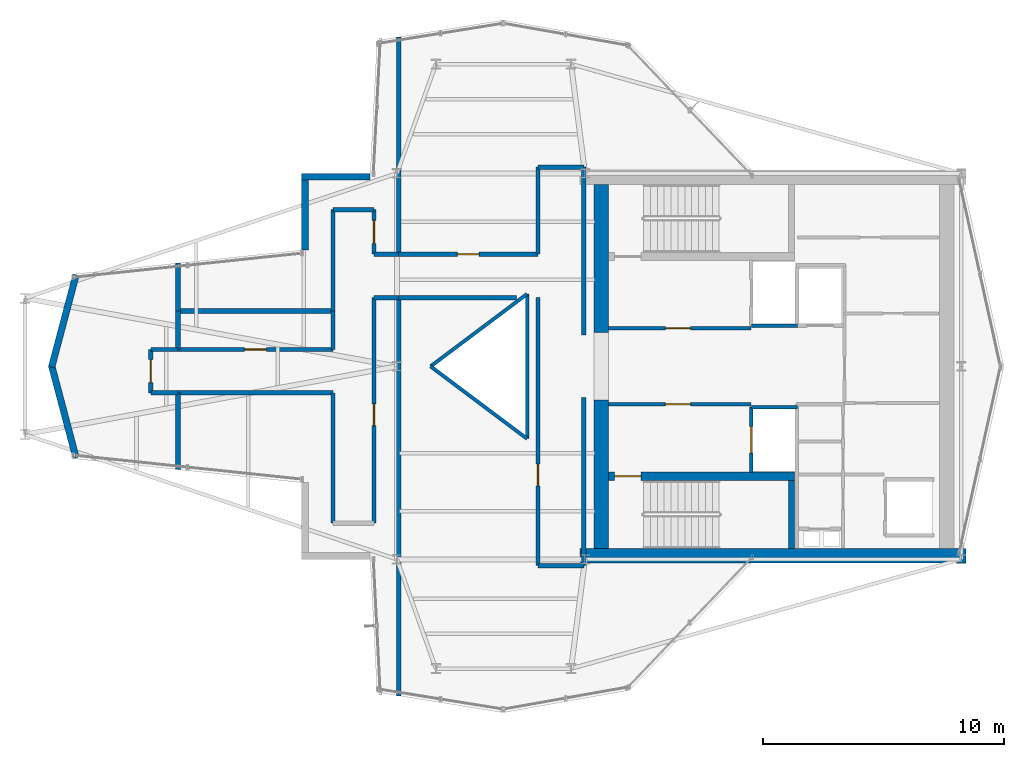
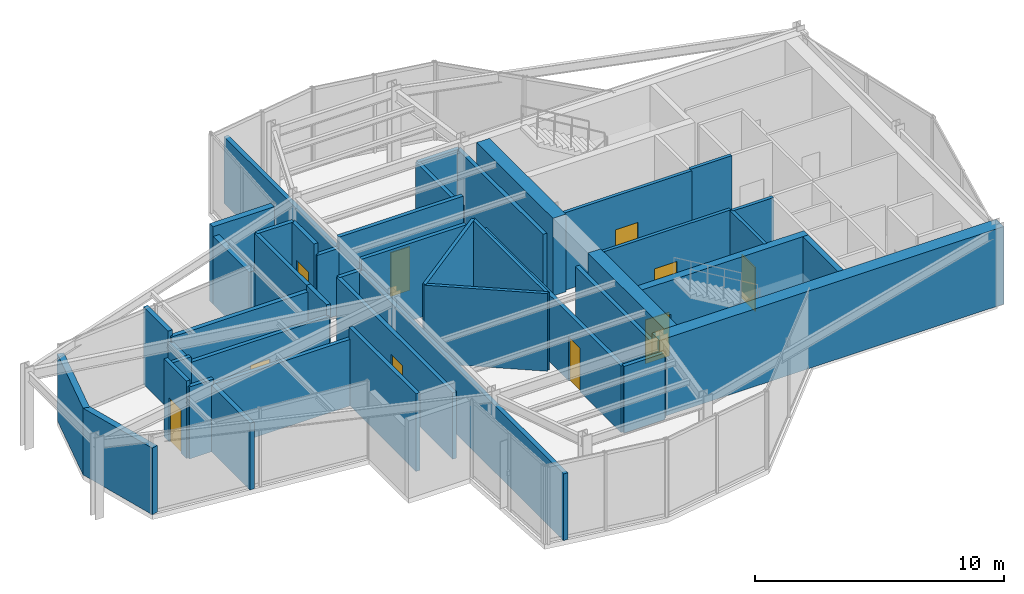
# One storey, part 11 of 13: 44 walls, 10 doors, 10 openings.
"""IFC4 building model written with IfcOpenShell, lengths in metres."""

from ifc_helpers import new_model, si_unit, direction, frame, frame_2d, origin, place, context, subcontext, project, spatial, rectangle, extrude, material, layer, layer_set, type_object, element, fill, save


model = new_model("IFC4")

# Units and contexts
model_context = context("Model", 3, precision=1e-05, world=origin(), true_north=direction((0.0, 1.0)))
body_context = subcontext(model_context, "Body", "Model", "MODEL_VIEW")
ifc_project = project(units=[si_unit("LENGTHUNIT", "METRE"), si_unit("AREAUNIT", "SQUARE_METRE"), si_unit("VOLUMEUNIT", "CUBIC_METRE"), si_unit("PLANEANGLEUNIT", "RADIAN"), si_unit("MASSUNIT", "GRAM", prefix="KILO")], contexts=[model_context])

# Site, building, storey
site_placement = place(None, origin())
site = spatial("IfcSite", under=ifc_project, at=site_placement, CompositionType="ELEMENT")
building_placement = place(site_placement, origin())
building = spatial("IfcBuilding", under=site, at=building_placement, Name="Veymaron Broadcast Tower", CompositionType="ELEMENT")
storey_placement = place(building_placement, frame((0.0, 0.0, 291.14990234375)))
storey = spatial("IfcBuildingStorey", under=building, at=storey_placement, Name="L68", CompositionType="ELEMENT", Elevation=291.14990234375)

# Walls
ifc_material_1 = material(Name="Concrete C40/50", Category="concrete")
ifc_layer_1 = layer(ifc_material_1, 0.199951171875)
ifc_layer_set_1 = layer_set([ifc_layer_1], Name="Concrete C40/50")
wall_type_1 = type_object("IfcWallType", Name="WALL-BLK-200", PredefinedType="SOLIDWALL", material=ifc_layer_set_1)
wall_1_placement = place(storey_placement, frame((31.27587890625, 10.33740234375, 0.0), z_axis=(0.0, 0.0, 1.0), x_axis=(0.0, 1.0, 0.0)))
element("IfcWall", 1, at=wall_1_placement, inside=storey, type_object=wall_type_1, Name="L68 partition IW-L68-P23", PredefinedType="SOLIDWALL", context=body_context, shape_type="SweptSolid", body=[
    extrude(rectangle(XDim=16.5126953125, YDim=0.199951171875, at=frame_2d((8.25634765625, 0.0))), origin(), (0.0, 0.0, 1.0), 3.27001953125),
])
wall_2_placement = place(storey_placement, frame((22.1279296875, 19.71533203125, 0.0), z_axis=(0.0, 0.0, 1.0), x_axis=(0.0, 1.0, 0.0)))
element("IfcWall", 2, at=wall_2_placement, inside=storey, type_object=wall_type_1, Name="L68 partition IW-L68-P24", PredefinedType="SOLIDWALL", context=body_context, shape_type="SweptSolid", body=[
    extrude(rectangle(XDim=3.1845703125, YDim=0.199951171875, at=frame_2d((1.59228515625, 0.0))), origin(), (0.0, 0.0, 1.0), 3.27001953125),
])
wall_3_placement = place(storey_placement, frame((22.1279296875, 24.699951171875, 0.0), z_axis=(0.0, 0.0, 1.0), x_axis=(0.0, 1.0, 0.0)))
element("IfcWall", 3, at=wall_3_placement, inside=storey, type_object=wall_type_1, Name="L68 partition IW-L68-P25", PredefinedType="SOLIDWALL", context=body_context, shape_type="SweptSolid", body=[
    extrude(rectangle(XDim=1.59814453125, YDim=0.199951171875, at=frame_2d((0.799072265625, 0.0))), origin(), (0.0, 0.0, 1.0), 3.27001953125),
])
wall_4_placement = place(storey_placement, frame((22.1279296875, 26.298095703125, 0.0), z_axis=(0.0, 0.0, 1.0), x_axis=(0.0, 1.0, 0.0)))
element("IfcWall", 4, at=wall_4_placement, inside=storey, type_object=wall_type_1, Name="L68 partition IW-L68-P26", PredefinedType="SOLIDWALL", context=body_context, shape_type="SweptSolid", body=[
    extrude(rectangle(XDim=1.986572265625, YDim=0.199951171875, at=frame_2d((0.9931640625, 0.0))), origin(), (0.0, 0.0, 1.0), 3.81005859375),
])
wall_5_placement = place(storey_placement, frame((22.1279296875, 26.298095703125, 0.0), z_axis=(0.0, 0.0, 1.0), x_axis=(1.0, 0.0, 0.0)))
element("IfcWall", 5, at=wall_5_placement, inside=storey, type_object=wall_type_1, Name="L68 partition IW-L68-P27", PredefinedType="SOLIDWALL", context=body_context, shape_type="SweptSolid", body=[
    extrude(rectangle(XDim=6.422119140625, YDim=0.199951171875, at=frame_2d((3.2109375, 0.0))), origin(), (0.0, 0.0, 1.0), 3.5400390625),
])
wall_6_placement = place(storey_placement, frame((31.27587890625, 28.64990234375, 0.0), z_axis=(0.0, 0.0, 1.0), x_axis=(0.0, 1.0, 0.0)))
element("IfcWall", 6, at=wall_6_placement, inside=storey, type_object=wall_type_1, Name="L68 partition IW-L68-P28", PredefinedType="SOLIDWALL", context=body_context, shape_type="SweptSolid", body=[
    extrude(rectangle(XDim=9.0126953125, YDim=0.199951171875, at=frame_2d((4.50634765625, 0.0))), origin(), (0.0, 0.0, 1.0), 3.27001953125),
])
ifc_material_2 = material(Name="Precast concrete C40/50", Category="concrete")
ifc_layer_2 = layer(ifc_material_2, 0.280029296875)
ifc_layer_set_2 = layer_set([ifc_layer_2], Name="Precast concrete C40/50")
wall_type_2 = type_object("IfcWallType", Name="WALL-EXT-280", PredefinedType="STANDARD", material=ifc_layer_set_2)
wall_7_placement = place(storey_placement, frame((30.0908203125, 31.860107421875, 0.0), z_axis=(0.0, 0.0, 1.0), x_axis=(-1.0, 0.0, 0.0)))
element("IfcWall", 7, at=wall_7_placement, inside=storey, type_object=wall_type_2, Name="L68 notched corner facade pier 9-1", PredefinedType="STANDARD", context=body_context, shape_type="SweptSolid", body=[
    extrude(rectangle(XDim=2.84130859375, YDim=0.280029296875, at=frame_2d((1.420654296875, 0.0))), origin(), (0.0, 0.0, 1.0), 3.81005859375),
])
wall_8_placement = place(storey_placement, frame((27.3896484375, 32.0, 0.0), z_axis=(0.0, 0.0, 1.0), x_axis=(0.0, -1.0, 0.0)))
element("IfcWall", 8, at=wall_8_placement, inside=storey, type_object=wall_type_2, Name="L68 notched corner facade pier 10-1", PredefinedType="STANDARD", context=body_context, shape_type="SweptSolid", body=[
    extrude(rectangle(XDim=3.177001953125, YDim=0.280029296875, at=frame_2d((1.58837890625, 0.0))), origin(), (0.0, 0.0, 1.0), 3.339111328125),
])
for number, where, z_axis, x_axis, name in (
    (9, (17.895263671875, 27.78955078125, 0.0), (0.0, 0.0, 1.0), (-0.255911213431, -0.96670029008, 0.0), "L68 notched corner facade pier 12-1"),
    (10, (16.882568359375, 24.035888671875, 0.0), (0.0, 0.0, 1.0), (0.255911213431, -0.96670029008, 0.0), "L68 notched corner facade pier 13-1"),
):
    element("IfcWall", number, at=place(storey_placement, frame(where, z_axis=z_axis, x_axis=x_axis)), inside=storey, type_object=wall_type_2, Name=name, PredefinedType="STANDARD", context=body_context, shape_type="SweptSolid", body=[
        extrude(rectangle(XDim=3.957275390625, YDim=0.280029296875, at=frame_2d((1.978515625, 0.0))), origin(), (0.0, 0.0, 1.0), 3.27001953125),
    ])

# Wall, opening, door
ifc_material_3 = material(Name="Gypsum fireboard and steel stud framing", Category="steel")
ifc_layer_3 = layer(ifc_material_3, 0.14990234375)
ifc_layer_set_3 = layer_set([ifc_layer_3], Name="Gypsum fireboard and steel stud framing")
wall_type_3 = type_object("IfcWallType", Name="WALL-FIRE-150", PredefinedType="PARTITIONING", material=ifc_layer_set_3)
wall_9_placement = place(storey_placement, frame((39.97998046875, 25.574951171875, 0.0), z_axis=(0.0, 0.0, 1.0), x_axis=(1.0, 0.0, 0.0)))
wall_9 = element("IfcWall", 11, at=wall_9_placement, inside=storey, type_object=wall_type_3, Name="L68 partition IW-L68-FFLN-S", PredefinedType="PARTITIONING", context=body_context, shape_type="SweptSolid", body=[
    extrude(rectangle(XDim=5.89990234375, YDim=0.14990234375, at=frame_2d((2.949951171875, 0.0))), origin(), (0.0, 0.0, 1.0), 3.81005859375),
])
opening_1_placement = place(wall_9_placement, frame((2.35009765625, 0.0, 0.0)))
opening_1 = element("IfcOpeningElement", 12, at=opening_1_placement, cuts=wall_9, Name="Opening ID-FL1", PredefinedType="OPENING", context=body_context, shape_type="SweptSolid", body=[
    extrude(rectangle(XDim=1.050048828125, YDim=2.14990234375, at=frame_2d((0.52490234375, 1.074951171875))), frame((0.0, 0.0849609375, 0.0), z_axis=(0.0, -1.0, 0.0), x_axis=(1.0, 0.0, 0.0)), (0.0, 0.0, 1.0), 0.169921875),
])
ifc_material_4 = material(Name="Fire-rated painted hollow steel ASTM A653", Category="steel")
door_type_1 = type_object("IfcDoorType", Name="DOOR-FIRE-1050", OperationType="NOTDEFINED", PredefinedType="DOOR", material=ifc_material_4)
door_1_placement = place(opening_1_placement, origin())
door_1 = element("IfcDoor", 13, at=door_1_placement, inside=storey, type_object=door_type_1, Name="L68 door DR-L68-FFLN", OperationType="SINGLE_SWING_LEFT", OverallHeight=2.14990234375, OverallWidth=1.050048828125, PredefinedType="DOOR", context=body_context, shape_type="SweptSolid", body=[
    extrude(rectangle(XDim=1.050048828125, YDim=2.14990234375, at=frame_2d((0.52490234375, 1.074951171875))), frame((0.0, 0.02490234375, 0.0), z_axis=(0.0, -1.0, 0.0), x_axis=(1.0, 0.0, 0.0)), (0.0, 0.0, 1.0), 0.050048828125),
])
fill(opening_1, door_1)

wall_10_placement = place(storey_placement, frame((39.97998046875, 22.425048828125, 0.0), z_axis=(0.0, 0.0, 1.0), x_axis=(1.0, 0.0, 0.0)))
wall_10 = element("IfcWall", 14, at=wall_10_placement, inside=storey, type_object=wall_type_3, Name="L68 partition IW-L68-FFLS-N", PredefinedType="PARTITIONING", context=body_context, shape_type="SweptSolid", body=[
    extrude(rectangle(XDim=5.89990234375, YDim=0.14990234375, at=frame_2d((2.949951171875, 0.0))), origin(), (0.0, 0.0, 1.0), 3.81005859375),
])
opening_2_placement = place(wall_10_placement, frame((2.35009765625, 0.0, 0.0)))
opening_2 = element("IfcOpeningElement", 15, at=opening_2_placement, cuts=wall_10, Name="Opening ID-FL1", PredefinedType="OPENING", context=body_context, shape_type="SweptSolid", body=[
    extrude(rectangle(XDim=1.050048828125, YDim=2.14990234375, at=frame_2d((0.52490234375, 1.074951171875))), frame((0.0, 0.0849609375, 0.0), z_axis=(0.0, -1.0, 0.0), x_axis=(1.0, 0.0, 0.0)), (0.0, 0.0, 1.0), 0.169921875),
])
door_2_placement = place(opening_2_placement, frame((1.050048828125, 0.0, 0.0), z_axis=(0.0, 0.0, 1.0), x_axis=(-1.0, 0.0, 0.0)))
door_2 = element("IfcDoor", 16, at=door_2_placement, inside=storey, type_object=door_type_1, Name="L68 door DR-L68-FFLS", OperationType="SINGLE_SWING_RIGHT", OverallHeight=2.14990234375, OverallWidth=1.050048828125, PredefinedType="DOOR", context=body_context, shape_type="SweptSolid", body=[
    extrude(rectangle(XDim=1.050048828125, YDim=2.14990234375, at=frame_2d((0.52490234375, 1.074951171875))), frame((0.0, 0.02490234375, 0.0), z_axis=(0.0, -1.0, 0.0), x_axis=(1.0, 0.0, 0.0)), (0.0, 0.0, 1.0), 0.050048828125),
])
fill(opening_2, door_2)

# Wall
wall_11_placement = place(storey_placement, frame((45.89501953125, 25.68994140625, 0.0), z_axis=(0.0, 0.0, 1.0), x_axis=(1.0, 0.0, 0.0)))
element("IfcWall", 17, at=wall_11_placement, inside=storey, type_object=wall_type_3, Name="L68 partition IW-L68-SHS-FFL-1", PredefinedType="PARTITIONING", context=body_context, shape_type="SweptSolid", body=[
    extrude(rectangle(XDim=1.9150390625, YDim=0.14990234375, at=frame_2d((0.95751953125, 0.0))), origin(), (0.0, 0.0, 1.0), 3.81005859375),
])

# Wall, opening, door
wall_12_placement = place(storey_placement, frame((45.89501953125, 19.590087890625, 0.0), z_axis=(0.0, 0.0, 1.0), x_axis=(0.0, 1.0, 0.0)))
wall_12 = element("IfcWall", 18, at=wall_12_placement, inside=storey, type_object=wall_type_3, Name="L68 partition IW-L68-SHW-FFL-2", PredefinedType="PARTITIONING", context=body_context, shape_type="SweptSolid", body=[
    extrude(rectangle(XDim=2.719970703125, YDim=0.14990234375, at=frame_2d((1.35986328125, 0.0))), origin(), (0.0, 0.0, 1.0), 3.81005859375),
])
opening_3_placement = place(wall_12_placement, frame((0.81005859375, 0.0, 0.0)))
opening_3 = element("IfcOpeningElement", 19, at=opening_3_placement, cuts=wall_12, Name="Opening LD", PredefinedType="OPENING", context=body_context, shape_type="SweptSolid", body=[
    extrude(rectangle(XDim=1.10009765625, YDim=2.14990234375, at=frame_2d((0.550048828125, 1.074951171875))), frame((0.0, 0.0849609375, 0.0), z_axis=(0.0, -1.0, 0.0), x_axis=(1.0, 0.0, 0.0)), (0.0, 0.0, 1.0), 0.169921875),
])
ifc_material_5 = material(Name="Brushed stainless steel AISI 304", Category="steel")
door_type_2 = type_object("IfcDoorType", Name="DOOR-LIFT-1100", OperationType="DOUBLE_DOOR_SLIDING", PredefinedType="DOOR", material=ifc_material_5)
door_3_placement = place(opening_3_placement, frame((1.10009765625, 0.0, 0.0), z_axis=(0.0, 0.0, 1.0), x_axis=(-1.0, 0.0, 0.0)))
door_3 = element("IfcDoor", 20, at=door_3_placement, inside=storey, type_object=door_type_2, Name="L68 door LD-L68-FFL-2", OperationType="DOUBLE_DOOR_SLIDING", OverallHeight=2.14990234375, OverallWidth=1.10009765625, PredefinedType="DOOR", context=body_context, shape_type="SweptSolid", body=[
    extrude(rectangle(XDim=1.10009765625, YDim=2.14990234375, at=frame_2d((0.550048828125, 1.074951171875))), frame((0.0, 0.02490234375, 0.0), z_axis=(0.0, -1.0, 0.0), x_axis=(1.0, 0.0, 0.0)), (0.0, 0.0, 1.0), 0.050048828125),
])
fill(opening_3, door_3)

# Wall
wall_13_placement = place(storey_placement, frame((45.89501953125, 22.31005859375, 0.0), z_axis=(0.0, 0.0, 1.0), x_axis=(1.0, 0.0, 0.0)))
element("IfcWall", 21, at=wall_13_placement, inside=storey, type_object=wall_type_3, Name="L68 partition IW-L68-SHN-FFL-2", PredefinedType="PARTITIONING", context=body_context, shape_type="SweptSolid", body=[
    extrude(rectangle(XDim=1.9150390625, YDim=0.14990234375, at=frame_2d((0.95751953125, 0.0))), origin(), (0.0, 0.0, 1.0), 3.81005859375),
])

# Wall, opening, door
ifc_layer_4 = layer(ifc_material_1, 0.179931640625)
ifc_layer_set_4 = layer_set([ifc_layer_4], Name="Concrete C40/50")
wall_type_4 = type_object("IfcWallType", Name="WALL-FIRE-180", PredefinedType="SOLIDWALL", material=ifc_layer_set_4)
wall_14_placement = place(storey_placement, frame((37.050048828125, 15.73876953125, 0.0), z_axis=(0.0, 0.0, 1.0), x_axis=(0.0, 1.0, 0.0)))
wall_14 = element("IfcWall", 22, at=wall_14_placement, inside=storey, type_object=wall_type_4, Name="L68 partition IW-L68-P01", PredefinedType="SOLIDWALL", context=body_context, shape_type="SweptSolid", body=[
    extrude(rectangle(XDim=11.111328125, YDim=0.179931640625, at=frame_2d((5.5556640625, 0.0))), origin(), (0.0, 0.0, 1.0), 3.27001953125),
])
opening_4_placement = place(wall_14_placement, frame((3.3056640625, 0.0, 0.0)))
opening_4 = element("IfcOpeningElement", 23, at=opening_4_placement, cuts=wall_14, Name="Opening ID-RM2", PredefinedType="OPENING", context=body_context, shape_type="SweptSolid", body=[
    extrude(rectangle(XDim=0.89990234375, YDim=2.14990234375, at=frame_2d((0.449951171875, 1.074951171875))), frame((0.0, 0.10009765625, 0.0), z_axis=(0.0, -1.0, 0.0), x_axis=(1.0, 0.0, 0.0)), (0.0, 0.0, 1.0), 0.199951171875),
])
ifc_material_6 = material(Name="Acoustic solid-core European oak veneer timber", Category="wood")
door_type_3 = type_object("IfcDoorType", Name="DOOR-INT-900", OperationType="NOTDEFINED", PredefinedType="DOOR", material=ifc_material_6)
door_4_placement = place(opening_4_placement, frame((0.89990234375, 0.0, 0.0), z_axis=(0.0, 0.0, 1.0), x_axis=(-1.0, 0.0, 0.0)))
door_4 = element("IfcDoor", 24, at=door_4_placement, inside=storey, type_object=door_type_3, Name="L68 door DR-L68-P01", OperationType="SINGLE_SWING_RIGHT", OverallHeight=2.14990234375, OverallWidth=0.89990234375, PredefinedType="DOOR", context=body_context, shape_type="SweptSolid", body=[
    extrude(rectangle(XDim=0.89990234375, YDim=2.14990234375, at=frame_2d((0.449951171875, 1.074951171875))), frame((0.0, 0.02490234375, 0.0), z_axis=(0.0, -1.0, 0.0), x_axis=(1.0, 0.0, 0.0)), (0.0, 0.0, 1.0), 0.050048828125),
])
fill(opening_4, door_4)

wall_15_placement = place(storey_placement, frame((30.25, 17.5, 0.0), z_axis=(0.0, 0.0, 1.0), x_axis=(0.0, 1.0, 0.0)))
wall_15 = element("IfcWall", 25, at=wall_15_placement, inside=storey, type_object=wall_type_4, Name="L68 partition IW-L68-P05", PredefinedType="SOLIDWALL", context=body_context, shape_type="SweptSolid", body=[
    extrude(rectangle(XDim=9.35009765625, YDim=0.179931640625, at=frame_2d((4.675048828125, 0.0))), origin(), (0.0, 0.0, 1.0), 3.27001953125),
])
opening_5_placement = place(wall_15_placement, frame((4.044921875, 0.0, 0.0)))
opening_5 = element("IfcOpeningElement", 26, at=opening_5_placement, cuts=wall_15, Name="Opening ID-RM2", PredefinedType="OPENING", context=body_context, shape_type="SweptSolid", body=[
    extrude(rectangle(XDim=0.89990234375, YDim=2.14990234375, at=frame_2d((0.449951171875, 1.074951171875))), frame((0.0, 0.10009765625, 0.0), z_axis=(0.0, -1.0, 0.0), x_axis=(1.0, 0.0, 0.0)), (0.0, 0.0, 1.0), 0.199951171875),
])
door_5_placement = place(opening_5_placement, frame((0.89990234375, 0.0, 0.0), z_axis=(0.0, 0.0, 1.0), x_axis=(-1.0, 0.0, 0.0)))
door_5 = element("IfcDoor", 27, at=door_5_placement, inside=storey, type_object=door_type_3, Name="L68 door DR-L68-P05", OperationType="SINGLE_SWING_RIGHT", OverallHeight=2.14990234375, OverallWidth=0.89990234375, PredefinedType="DOOR", context=body_context, shape_type="SweptSolid", body=[
    extrude(rectangle(XDim=0.89990234375, YDim=2.14990234375, at=frame_2d((0.449951171875, 1.074951171875))), frame((0.0, 0.02490234375, 0.0), z_axis=(0.0, -1.0, 0.0), x_axis=(1.0, 0.0, 0.0)), (0.0, 0.0, 1.0), 0.050048828125),
])
fill(opening_5, door_5)

wall_16_placement = place(storey_placement, frame((21.0, 22.89990234375, 0.0), z_axis=(0.0, 0.0, 1.0), x_axis=(0.0, 1.0, 0.0)))
wall_16 = element("IfcWall", 28, at=wall_16_placement, inside=storey, type_object=wall_type_4, Name="L68 partition IW-L68-P10", PredefinedType="SOLIDWALL", context=body_context, shape_type="SweptSolid", body=[
    extrude(rectangle(XDim=1.800048828125, YDim=0.179931640625, at=frame_2d((0.89990234375, 0.0))), origin(), (0.0, 0.0, 1.0), 3.81005859375),
])
opening_6_placement = place(wall_16_placement, frame((0.425048828125, 0.0, 0.0)))
opening_6 = element("IfcOpeningElement", 29, at=opening_6_placement, cuts=wall_16, Name="Opening ID-RM1", PredefinedType="OPENING", context=body_context, shape_type="SweptSolid", body=[
    extrude(rectangle(XDim=0.949951171875, YDim=2.14990234375, at=frame_2d((0.47509765625, 1.074951171875))), frame((0.0, 0.10009765625, 0.0), z_axis=(0.0, -1.0, 0.0), x_axis=(1.0, 0.0, 0.0)), (0.0, 0.0, 1.0), 0.199951171875),
])
door_type_4 = type_object("IfcDoorType", Name="DOOR-INT-950", OperationType="NOTDEFINED", PredefinedType="DOOR", material=ifc_material_6)
door_6_placement = place(opening_6_placement, origin())
door_6 = element("IfcDoor", 30, at=door_6_placement, inside=storey, type_object=door_type_4, Name="L68 door DR-L68-P10", OperationType="SINGLE_SWING_LEFT", OverallHeight=2.14990234375, OverallWidth=0.949951171875, PredefinedType="DOOR", context=body_context, shape_type="SweptSolid", body=[
    extrude(rectangle(XDim=0.949951171875, YDim=2.14990234375, at=frame_2d((0.47509765625, 1.074951171875))), frame((0.0, 0.02490234375, 0.0), z_axis=(0.0, -1.0, 0.0), x_axis=(1.0, 0.0, 0.0)), (0.0, 0.0, 1.0), 0.050048828125),
])
fill(opening_6, door_6)

wall_17_placement = place(storey_placement, frame((22.1279296875, 24.699951171875, 0.0), z_axis=(0.0, 0.0, 1.0), x_axis=(1.0, 0.0, 0.0)))
wall_17 = element("IfcWall", 31, at=wall_17_placement, inside=storey, type_object=wall_type_4, Name="L68 partition IW-L68-P13", PredefinedType="SOLIDWALL", context=body_context, shape_type="SweptSolid", body=[
    extrude(rectangle(XDim=6.422119140625, YDim=0.179931640625, at=frame_2d((3.2109375, 0.0))), origin(), (0.0, 0.0, 1.0), 3.27001953125),
])
opening_7_placement = place(wall_17_placement, frame((2.760986328125, 0.0, 0.0)))
opening_7 = element("IfcOpeningElement", 32, at=opening_7_placement, cuts=wall_17, Name="Opening ID-RM2", PredefinedType="OPENING", context=body_context, shape_type="SweptSolid", body=[
    extrude(rectangle(XDim=0.89990234375, YDim=2.14990234375, at=frame_2d((0.449951171875, 1.074951171875))), frame((0.0, 0.10009765625, 0.0), z_axis=(0.0, -1.0, 0.0), x_axis=(1.0, 0.0, 0.0)), (0.0, 0.0, 1.0), 0.199951171875),
])
door_7_placement = place(opening_7_placement, origin())
door_7 = element("IfcDoor", 33, at=door_7_placement, inside=storey, type_object=door_type_3, Name="L68 door DR-L68-P13", OperationType="SINGLE_SWING_RIGHT", OverallHeight=2.14990234375, OverallWidth=0.89990234375, PredefinedType="DOOR", context=body_context, shape_type="SweptSolid", body=[
    extrude(rectangle(XDim=0.89990234375, YDim=2.14990234375, at=frame_2d((0.449951171875, 1.074951171875))), frame((0.0, 0.02490234375, 0.0), z_axis=(0.0, -1.0, 0.0), x_axis=(1.0, 0.0, 0.0)), (0.0, 0.0, 1.0), 0.050048828125),
])
fill(opening_7, door_7)

wall_18_placement = place(storey_placement, frame((30.25, 28.64990234375, 0.0), z_axis=(0.0, 0.0, 1.0), x_axis=(0.0, 1.0, 0.0)))
wall_18 = element("IfcWall", 34, at=wall_18_placement, inside=storey, type_object=wall_type_4, Name="L68 partition IW-L68-P16", PredefinedType="SOLIDWALL", context=body_context, shape_type="SweptSolid", body=[
    extrude(rectangle(XDim=1.85009765625, YDim=0.179931640625, at=frame_2d((0.925048828125, 0.0))), origin(), (0.0, 0.0, 1.0), 3.81005859375),
])
opening_8_placement = place(wall_18_placement, frame((0.449951171875, 0.0, 0.0)))
opening_8 = element("IfcOpeningElement", 35, at=opening_8_placement, cuts=wall_18, Name="Opening ID-RM1", PredefinedType="OPENING", context=body_context, shape_type="SweptSolid", body=[
    extrude(rectangle(XDim=0.949951171875, YDim=2.14990234375, at=frame_2d((0.47509765625, 1.074951171875))), frame((0.0, 0.10009765625, 0.0), z_axis=(0.0, -1.0, 0.0), x_axis=(1.0, 0.0, 0.0)), (0.0, 0.0, 1.0), 0.199951171875),
])
door_8_placement = place(opening_8_placement, frame((0.949951171875, 0.0, 0.0), z_axis=(0.0, 0.0, 1.0), x_axis=(-1.0, 0.0, 0.0)))
door_8 = element("IfcDoor", 36, at=door_8_placement, inside=storey, type_object=door_type_4, Name="L68 door DR-L68-P16", OperationType="SINGLE_SWING_LEFT", OverallHeight=2.14990234375, OverallWidth=0.949951171875, PredefinedType="DOOR", context=body_context, shape_type="SweptSolid", body=[
    extrude(rectangle(XDim=0.949951171875, YDim=2.14990234375, at=frame_2d((0.47509765625, 1.074951171875))), frame((0.0, 0.02490234375, 0.0), z_axis=(0.0, -1.0, 0.0), x_axis=(1.0, 0.0, 0.0)), (0.0, 0.0, 1.0), 0.050048828125),
])
fill(opening_8, door_8)

wall_19_placement = place(storey_placement, frame((31.27587890625, 28.64990234375, 0.0), z_axis=(0.0, 0.0, 1.0), x_axis=(1.0, 0.0, 0.0)))
wall_19 = element("IfcWall", 37, at=wall_19_placement, inside=storey, type_object=wall_type_4, Name="L68 partition IW-L68-P20", PredefinedType="SOLIDWALL", context=body_context, shape_type="SweptSolid", body=[
    extrude(rectangle(XDim=5.774169921875, YDim=0.179931640625, at=frame_2d((2.88720703125, 0.0))), origin(), (0.0, 0.0, 1.0), 3.81005859375),
])
opening_9_placement = place(wall_19_placement, frame((2.43701171875, 0.0, 0.0)))
opening_9 = element("IfcOpeningElement", 38, at=opening_9_placement, cuts=wall_19, Name="Opening ID-RM2", PredefinedType="OPENING", context=body_context, shape_type="SweptSolid", body=[
    extrude(rectangle(XDim=0.89990234375, YDim=2.14990234375, at=frame_2d((0.449951171875, 1.074951171875))), frame((0.0, 0.10009765625, 0.0), z_axis=(0.0, -1.0, 0.0), x_axis=(1.0, 0.0, 0.0)), (0.0, 0.0, 1.0), 0.199951171875),
])
door_9_placement = place(opening_9_placement, origin())
door_9 = element("IfcDoor", 39, at=door_9_placement, inside=storey, type_object=door_type_3, Name="L68 door DR-L68-P20", OperationType="SINGLE_SWING_LEFT", OverallHeight=2.14990234375, OverallWidth=0.89990234375, PredefinedType="DOOR", context=body_context, shape_type="SweptSolid", body=[
    extrude(rectangle(XDim=0.89990234375, YDim=2.14990234375, at=frame_2d((0.449951171875, 1.074951171875))), frame((0.0, 0.02490234375, 0.0), z_axis=(0.0, -1.0, 0.0), x_axis=(1.0, 0.0, 0.0)), (0.0, 0.0, 1.0), 0.050048828125),
])
fill(opening_9, door_9)

# Walls
wall_20_placement = place(storey_placement, frame((38.949951171875, 15.73876953125, 0.0), z_axis=(0.0, 0.0, 1.0), x_axis=(0.0, 1.0, 0.0)))
element("IfcWall", 40, at=wall_20_placement, inside=storey, type_object=wall_type_4, Name="L68 partition IW-L68-P02", PredefinedType="SOLIDWALL", context=body_context, shape_type="SweptSolid", body=[
    extrude(rectangle(XDim=6.961181640625, YDim=0.179931640625, at=frame_2d((3.48046875, 0.0))), origin(), (0.0, 0.0, 1.0), 3.27001953125),
])
wall_21_placement = place(storey_placement, frame((31.27587890625, 26.85009765625, 0.0), z_axis=(0.0, 0.0, 1.0), x_axis=(1.0, 0.0, 0.0)))
element("IfcWall", 41, at=wall_21_placement, inside=storey, type_object=wall_type_4, Name="L68 partition IW-L68-P03", PredefinedType="SOLIDWALL", context=body_context, shape_type="SweptSolid", body=[
    extrude(rectangle(XDim=4.8740234375, YDim=0.179931640625, at=frame_2d((2.43701171875, 0.0))), origin(), (0.0, 0.0, 1.0), 3.81005859375),
])
wall_22_placement = place(storey_placement, frame((37.050048828125, 15.73876953125, 0.0), z_axis=(0.0, 0.0, 1.0), x_axis=(1.0, 0.0, 0.0)))
element("IfcWall", 42, at=wall_22_placement, inside=storey, type_object=wall_type_4, Name="L68 partition IW-L68-P04", PredefinedType="SOLIDWALL", context=body_context, shape_type="SweptSolid", body=[
    extrude(rectangle(XDim=1.89990234375, YDim=0.179931640625, at=frame_2d((0.949951171875, 0.0))), origin(), (0.0, 0.0, 1.0), 3.27001953125),
])
wall_23_placement = place(storey_placement, frame((22.1279296875, 22.89990234375, 0.0), z_axis=(0.0, 0.0, 1.0), x_axis=(1.0, 0.0, 0.0)))
element("IfcWall", 43, at=wall_23_placement, inside=storey, type_object=wall_type_4, Name="L68 partition IW-L68-P06", PredefinedType="SOLIDWALL", context=body_context, shape_type="SweptSolid", body=[
    extrude(rectangle(XDim=6.422119140625, YDim=0.179931640625, at=frame_2d((3.2109375, 0.0))), origin(), (0.0, 0.0, 1.0), 3.27001953125),
])
wall_24_placement = place(storey_placement, frame((28.550048828125, 17.5, 0.0), z_axis=(0.0, 0.0, 1.0), x_axis=(0.0, 1.0, 0.0)))
element("IfcWall", 44, at=wall_24_placement, inside=storey, type_object=wall_type_4, Name="L68 partition IW-L68-P07", PredefinedType="SOLIDWALL", context=body_context, shape_type="SweptSolid", body=[
    extrude(rectangle(XDim=5.39990234375, YDim=0.179931640625, at=frame_2d((2.699951171875, 0.0))), origin(), (0.0, 0.0, 1.0), 3.81005859375),
])
wall_25_placement = place(storey_placement, frame((30.25, 26.85009765625, 0.0), z_axis=(0.0, 0.0, 1.0), x_axis=(1.0, 0.0, 0.0)))
element("IfcWall", 45, at=wall_25_placement, inside=storey, type_object=wall_type_4, Name="L68 partition IW-L68-P09", PredefinedType="SOLIDWALL", context=body_context, shape_type="SweptSolid", body=[
    extrude(rectangle(XDim=1.02587890625, YDim=0.179931640625, at=frame_2d((0.512939453125, 0.0))), origin(), (0.0, 0.0, 1.0), 3.27001953125),
])
for number, where, z_axis, x_axis, name in (
    (46, (21.0, 22.89990234375, 0.0), (0.0, 0.0, 1.0), (1.0, 0.0, 0.0), "L68 partition IW-L68-P11"),
    (47, (21.0, 24.699951171875, 0.0), (0.0, 0.0, 1.0), (1.0, 0.0, 0.0), "L68 partition IW-L68-P12"),
):
    element("IfcWall", number, at=place(storey_placement, frame(where, z_axis=z_axis, x_axis=x_axis)), inside=storey, type_object=wall_type_4, Name=name, PredefinedType="SOLIDWALL", context=body_context, shape_type="SweptSolid", body=[
        extrude(rectangle(XDim=1.1279296875, YDim=0.179931640625, at=frame_2d((0.56396484375, 0.0))), origin(), (0.0, 0.0, 1.0), 3.5400390625),
    ])
wall_26_placement = place(storey_placement, frame((28.550048828125, 24.699951171875, 0.0), z_axis=(0.0, 0.0, 1.0), x_axis=(0.0, 1.0, 0.0)))
element("IfcWall", 48, at=wall_26_placement, inside=storey, type_object=wall_type_4, Name="L68 partition IW-L68-P14", PredefinedType="SOLIDWALL", context=body_context, shape_type="SweptSolid", body=[
    extrude(rectangle(XDim=1.59814453125, YDim=0.179931640625, at=frame_2d((0.799072265625, 0.0))), origin(), (0.0, 0.0, 1.0), 3.81005859375),
])
wall_27_placement = place(storey_placement, frame((28.550048828125, 26.298095703125, 0.0), z_axis=(0.0, 0.0, 1.0), x_axis=(0.0, 1.0, 0.0)))
element("IfcWall", 49, at=wall_27_placement, inside=storey, type_object=wall_type_4, Name="L68 partition IW-L68-P15", PredefinedType="SOLIDWALL", context=body_context, shape_type="SweptSolid", body=[
    extrude(rectangle(XDim=4.201904296875, YDim=0.179931640625, at=frame_2d((2.10107421875, 0.0))), origin(), (0.0, 0.0, 1.0), 3.81005859375),
])
wall_28_placement = place(storey_placement, frame((28.550048828125, 30.5, 0.0), z_axis=(0.0, 0.0, 1.0), x_axis=(1.0, 0.0, 0.0)))
element("IfcWall", 50, at=wall_28_placement, inside=storey, type_object=wall_type_4, Name="L68 partition IW-L68-P17", PredefinedType="SOLIDWALL", context=body_context, shape_type="SweptSolid", body=[
    extrude(rectangle(XDim=1.699951171875, YDim=0.179931640625, at=frame_2d((0.85009765625, 0.0))), origin(), (0.0, 0.0, 1.0), 3.81005859375),
])
wall_29_placement = place(storey_placement, frame((30.25, 28.64990234375, 0.0), z_axis=(0.0, 0.0, 1.0), x_axis=(1.0, 0.0, 0.0)))
element("IfcWall", 51, at=wall_29_placement, inside=storey, type_object=wall_type_4, Name="L68 partition IW-L68-P18", PredefinedType="SOLIDWALL", context=body_context, shape_type="SweptSolid", body=[
    extrude(rectangle(XDim=1.02587890625, YDim=0.179931640625, at=frame_2d((0.512939453125, 0.0))), origin(), (0.0, 0.0, 1.0), 3.27001953125),
])
wall_30_placement = place(storey_placement, frame((38.949951171875, 25.300048828125, 0.0), z_axis=(0.0, 0.0, 1.0), x_axis=(0.0, 1.0, 0.0)))
element("IfcWall", 52, at=wall_30_placement, inside=storey, type_object=wall_type_4, Name="L68 partition IW-L68-P19", PredefinedType="SOLIDWALL", context=body_context, shape_type="SweptSolid", body=[
    extrude(rectangle(XDim=6.961181640625, YDim=0.179931640625, at=frame_2d((3.48046875, 0.0))), origin(), (0.0, 0.0, 1.0), 3.27001953125),
])
wall_31_placement = place(storey_placement, frame((37.050048828125, 28.64990234375, 0.0), z_axis=(0.0, 0.0, 1.0), x_axis=(0.0, 1.0, 0.0)))
element("IfcWall", 53, at=wall_31_placement, inside=storey, type_object=wall_type_4, Name="L68 partition IW-L68-P21", PredefinedType="SOLIDWALL", context=body_context, shape_type="SweptSolid", body=[
    extrude(rectangle(XDim=3.611328125, YDim=0.179931640625, at=frame_2d((1.8056640625, 0.0))), origin(), (0.0, 0.0, 1.0), 3.27001953125),
])
wall_32_placement = place(storey_placement, frame((37.050048828125, 32.26123046875, 0.0), z_axis=(0.0, 0.0, 1.0), x_axis=(1.0, 0.0, 0.0)))
element("IfcWall", 54, at=wall_32_placement, inside=storey, type_object=wall_type_4, Name="L68 partition IW-L68-P22", PredefinedType="SOLIDWALL", context=body_context, shape_type="SweptSolid", body=[
    extrude(rectangle(XDim=1.89990234375, YDim=0.179931640625, at=frame_2d((0.949951171875, 0.0))), origin(), (0.0, 0.0, 1.0), 3.27001953125),
])
ifc_material_7 = material(Name="Fire-rated laminated glass in aluminium frame", Category="aluminium")
ifc_layer_5 = layer(ifc_material_7, 0.14990234375)
ifc_layer_set_5 = layer_set([ifc_layer_5], Name="Fire-rated laminated glass in aluminium frame")
wall_type_5 = type_object("IfcWallType", Name="WALL-GLZ-150", PredefinedType="MOVABLE", material=ifc_layer_set_5)
wall_33_placement = place(storey_placement, frame((32.60009765625, 24.0, 0.0), z_axis=(0.0, 0.0, 1.0), x_axis=(0.8, -0.6, 0.0)))
element("IfcWall", 55, at=wall_33_placement, inside=storey, type_object=wall_type_5, Name="L68 partition IW-L68-ATR1", PredefinedType="MOVABLE", context=body_context, shape_type="SweptSolid", body=[
    extrude(rectangle(XDim=5.0, YDim=0.14990234375, at=frame_2d((2.5, 0.0))), origin(), (0.0, 0.0, 1.0), 3.81005859375),
])
wall_34_placement = place(storey_placement, frame((36.60009765625, 21.0, 0.0), z_axis=(0.0, 0.0, 1.0), x_axis=(0.0, 1.0, 0.0)))
element("IfcWall", 56, at=wall_34_placement, inside=storey, type_object=wall_type_5, Name="L68 partition IW-L68-ATR2", PredefinedType="MOVABLE", context=body_context, shape_type="SweptSolid", body=[
    extrude(rectangle(XDim=6.0, YDim=0.14990234375, at=frame_2d((3.0, 0.0))), origin(), (0.0, 0.0, 1.0), 3.81005859375),
])
wall_35_placement = place(storey_placement, frame((36.60009765625, 27.0, 0.0), z_axis=(0.0, 0.0, 1.0), x_axis=(-0.8, -0.6, 0.0)))
element("IfcWall", 57, at=wall_35_placement, inside=storey, type_object=wall_type_5, Name="L68 partition IW-L68-ATR3", PredefinedType="MOVABLE", context=body_context, shape_type="SweptSolid", body=[
    extrude(rectangle(XDim=5.0, YDim=0.14990234375, at=frame_2d((2.5, 0.0))), origin(), (0.0, 0.0, 1.0), 3.81005859375),
])
ifc_material_8 = material(Name="Concrete C50/60", Category="concrete")
ifc_layer_6 = layer(ifc_material_8, 0.25)
ifc_layer_set_6 = layer_set([ifc_layer_6], Name="Concrete C50/60")
wall_type_6 = type_object("IfcWallType", Name="WALL-SHEAR-250", PredefinedType="SHEAR", material=ifc_layer_set_6)
wall_36_placement = place(storey_placement, frame((47.56494140625, 16.449951171875, 0.0), z_axis=(0.0, 0.0, 1.0), x_axis=(0.0, 1.0, 0.0)))
element("IfcWall", 58, at=wall_36_placement, inside=storey, type_object=wall_type_6, Name="L68 Core Wall south stair east shear", PredefinedType="SHEAR", context=body_context, shape_type="SweptSolid", body=[
    extrude(rectangle(XDim=2.820068359375, YDim=0.25, at=frame_2d((1.41015625, 0.0))), origin(), (0.0, 0.0, 1.0), 3.81005859375),
])

# Wall, opening, door
ifc_layer_7 = layer(ifc_material_8, 0.35009765625)
ifc_layer_set_7 = layer_set([ifc_layer_7], Name="Concrete C50/60")
wall_type_7 = type_object("IfcWallType", Name="WALL-SHEAR-350", PredefinedType="SHEAR", material=ifc_layer_set_7)
wall_37_placement = place(storey_placement, frame((39.97998046875, 19.445068359375, 0.0), z_axis=(0.0, 0.0, 1.0), x_axis=(1.0, 0.0, 0.0)))
wall_37 = element("IfcWall", 59, at=wall_37_placement, inside=storey, type_object=wall_type_7, Name="L68 Core Wall south stair spine", PredefinedType="SHEAR", context=body_context, shape_type="SweptSolid", body=[
    extrude(rectangle(XDim=7.7099609375, YDim=0.35009765625, at=frame_2d((3.85498046875, 0.0))), origin(), (0.0, 0.0, 1.0), 3.81005859375),
])
opening_10_placement = place(wall_37_placement, frame((0.25, 0.0, 0.0)))
opening_10 = element("IfcOpeningElement", 60, at=opening_10_placement, cuts=wall_37, Name="Opening ID-ST1", PredefinedType="OPENING", context=body_context, shape_type="SweptSolid", body=[
    extrude(rectangle(XDim=1.10009765625, YDim=2.14990234375, at=frame_2d((0.550048828125, 1.074951171875))), frame((0.0, 0.18505859375, 0.0), z_axis=(0.0, -1.0, 0.0), x_axis=(1.0, 0.0, 0.0)), (0.0, 0.0, 1.0), 0.3701171875),
])
door_type_5 = type_object("IfcDoorType", Name="DOOR-STAIR-1100", OperationType="NOTDEFINED", PredefinedType="DOOR", material=ifc_material_4)
door_10_placement = place(opening_10_placement, frame((1.10009765625, 0.0, 0.0), z_axis=(0.0, 0.0, 1.0), x_axis=(-1.0, 0.0, 0.0)))
door_10 = element("IfcDoor", 61, at=door_10_placement, inside=storey, type_object=door_type_5, Name="L68 exit stair ST2 fire door", OperationType="SINGLE_SWING_RIGHT", OverallHeight=2.14990234375, OverallWidth=1.10009765625, PredefinedType="DOOR", context=body_context, shape_type="SweptSolid", body=[
    extrude(rectangle(XDim=1.10009765625, YDim=2.14990234375, at=frame_2d((0.550048828125, 1.074951171875))), frame((0.0, 0.02490234375, 0.0), z_axis=(0.0, -1.0, 0.0), x_axis=(1.0, 0.0, 0.0)), (0.0, 0.0, 1.0), 0.050048828125),
])
fill(opening_10, door_10)

# Walls
ifc_layer_8 = layer(ifc_material_8, 0.60009765625)
ifc_layer_set_8 = layer_set([ifc_layer_8], Name="Concrete C50/60")
wall_type_8 = type_object("IfcWallType", Name="WALL-SHEAR-600", PredefinedType="SHEAR", material=ifc_layer_set_8)
wall_38_placement = place(storey_placement, frame((38.800048828125, 16.14990234375, 0.0), z_axis=(0.0, 0.0, 1.0), x_axis=(1.0, 0.0, 0.0)))
element("IfcWall", 62, at=wall_38_placement, inside=storey, type_object=wall_type_8, Name="L68 Core Wall south shear", PredefinedType="SHEAR", context=body_context, shape_type="SweptSolid", body=[
    extrude(rectangle(XDim=16.0, YDim=0.60009765625, at=frame_2d((8.0, 0.0))), origin(), (0.0, 0.0, 1.0), 3.81005859375),
])
for number, where, z_axis, x_axis, name in (
    (63, (39.679931640625, 16.449951171875, 0.0), (0.0, 0.0, 1.0), (0.0, 1.0, 0.0), "L68 Core Wall west-south shear"),
    (64, (39.679931640625, 25.39990234375, 0.0), (0.0, 0.0, 1.0), (0.0, 1.0, 0.0), "L68 Core Wall west-north shear"),
):
    element("IfcWall", number, at=place(storey_placement, frame(where, z_axis=z_axis, x_axis=x_axis)), inside=storey, type_object=wall_type_8, Name=name, PredefinedType="SHEAR", context=body_context, shape_type="SweptSolid", body=[
        extrude(rectangle(XDim=6.150146484375, YDim=0.60009765625, at=frame_2d((3.0751953125, 0.0))), origin(), (0.0, 0.0, 1.0), 3.81005859375),
    ])

save(model, "model.ifc")
